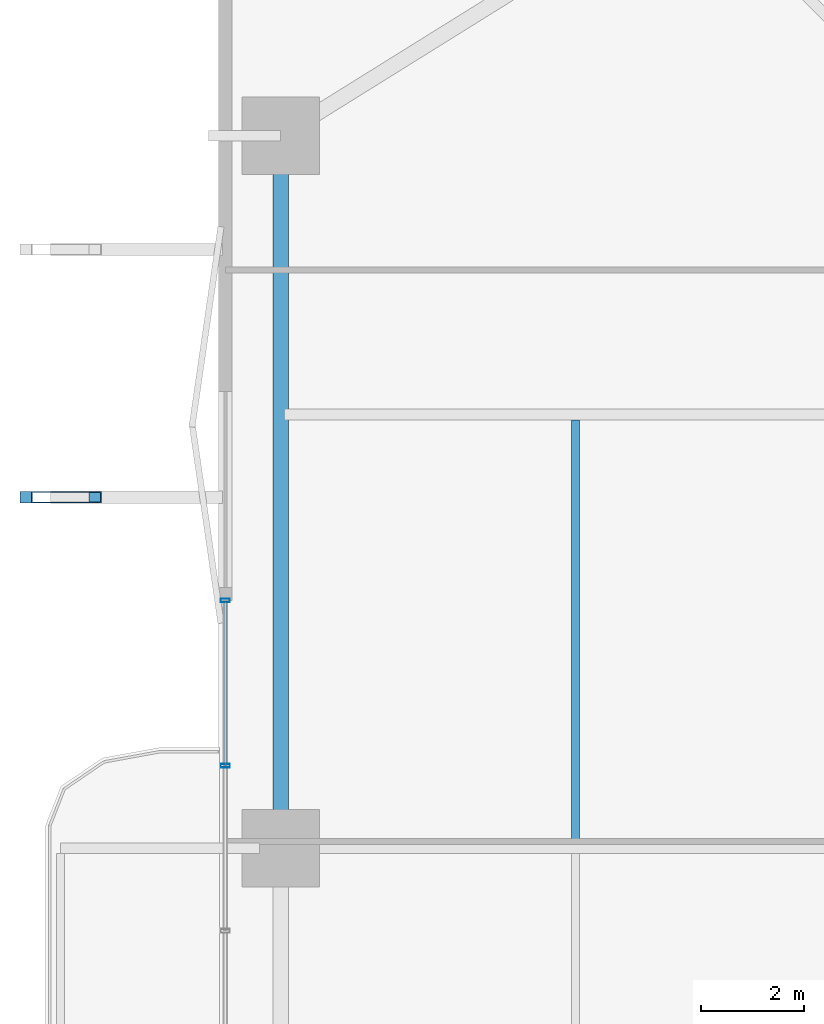
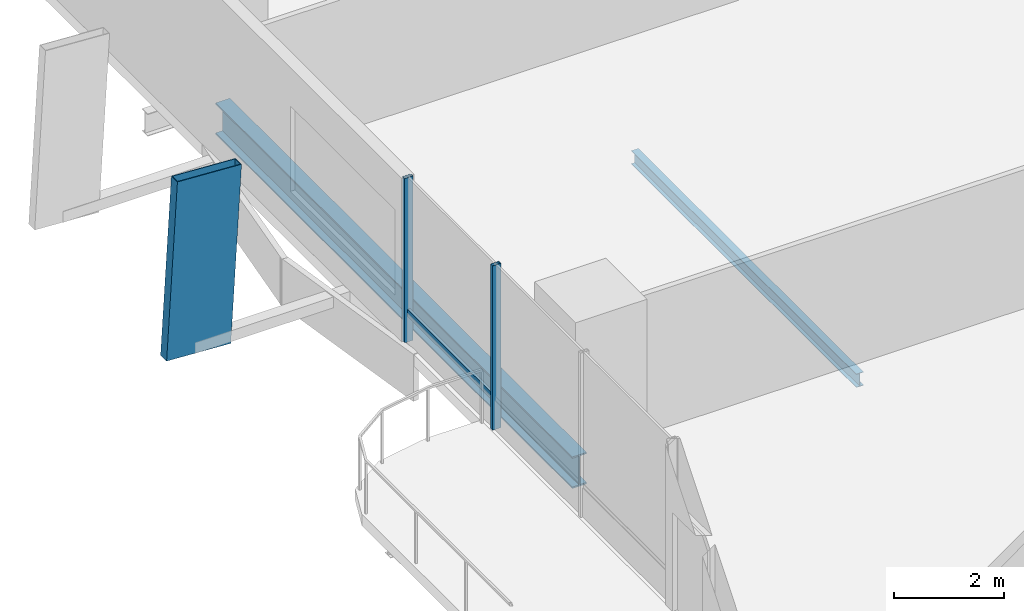
# One storey, part 9 of 24: 4 members, 2 beams, 1 element without a shape of its own.
"""IFC4 building model written with IfcOpenShell, lengths in metres."""

from ifc_helpers import new_model, si_unit, direction, frame, origin, origin_2d, place, context, subcontext, project, spatial, hollow_rectangle, i_section, extrude, material, layer, layer_set, material_profile, profile_set, type_object, element, aggregate, save


model = new_model("IFC4")

# Units and contexts
model_context = context("Model", 3, precision=1e-05, world=origin(), true_north=direction((0.0, 1.0)))
body_context = subcontext(model_context, "Body", "Model", "MODEL_VIEW")
ifc_project = project(units=[si_unit("LENGTHUNIT", "METRE"), si_unit("AREAUNIT", "SQUARE_METRE"), si_unit("VOLUMEUNIT", "CUBIC_METRE"), si_unit("PLANEANGLEUNIT", "RADIAN"), si_unit("MASSUNIT", "GRAM", prefix="KILO")], contexts=[model_context])

# Site, building, storey
site_placement = place(None, origin())
site = spatial("IfcSite", under=ifc_project, at=site_placement, CompositionType="ELEMENT")
building_placement = place(site_placement, origin())
building = spatial("IfcBuilding", under=site, at=building_placement, Name="Belovzor Exchange Tower", CompositionType="ELEMENT")
storey_placement = place(building_placement, frame((0.0, 0.0, 37.800048828125)))
storey = spatial("IfcBuildingStorey", under=building, at=storey_placement, Name="L08", CompositionType="ELEMENT", Elevation=37.800048828125)

# Member
ifc_material_1 = material(Name="Extruded Architectural Terracotta on Steel S355 Carrier", Category="masonry")
ifc_material_profile_1 = material_profile(ifc_material_1, hollow_rectangle(XDim=0.219970703125, YDim=1.35009765625, WallThickness=0.013916015625, at=origin_2d()))
ifc_profile_set_1 = profile_set([ifc_material_profile_1], Name="Extruded Architectural Terracotta on Steel S355 Carrier")
member_type_1 = type_object("IfcMemberType", Name="Base Arc Sweeping Terracotta Pylon Fin 1450", PredefinedType="USERDEFINED", material=ifc_profile_set_1)
member_1_placement = place(storey_placement, frame((-2.27294921875, 35.60009765625, -0.25), z_axis=(0.058121188646, 0.0, 0.998309534879), x_axis=(0.0, 1.0, 0.0)))
element("IfcMember", 1, at=member_1_placement, inside=storey, type_object=member_type_1, Name="FIN-TC145 Terracotta Facade Fin L08 W3", ObjectType="FIN", PredefinedType="USERDEFINED", context=body_context, shape_type="SweptSolid", body=[
    extrude(hollow_rectangle(XDim=0.219970703125, YDim=1.35009765625, WallThickness=0.013916015625, at=origin_2d()), origin(), (0.0, 0.0, 1.0), 3.906494140625),
])

# Beam
ifc_material_2 = material(Name="Steel S355", Category="steel")
ifc_material_profile_2 = material_profile(ifc_material_2, i_section(OverallWidth=0.14990234375, OverallDepth=0.300048828125, WebThickness=0.007080078125, FlangeThickness=0.0107421875, at=origin_2d()))
ifc_profile_set_2 = profile_set([ifc_material_profile_2], Name="Steel S355")
beam_type_1 = type_object("IfcBeamType", Name="Secondary Trim Floor Joist IPE 300", PredefinedType="BEAM", material=ifc_profile_set_2)
beam_1_placement = place(storey_placement, frame((7.81494140625, 28.905029296875, -0.400146484375), z_axis=(0.0, 1.0, 0.0), x_axis=(-1.0, 0.0, 0.0)))
element("IfcBeam", 2, at=beam_1_placement, inside=storey, type_object=beam_type_1, Name="FJ-300 Secondary Trim Floor Joist IPE 300", PredefinedType="BEAM", context=body_context, shape_type="SweptSolid", body=[
    extrude(i_section(OverallWidth=0.14990234375, OverallDepth=0.300048828125, WebThickness=0.007080078125, FlangeThickness=0.0107421875, at=origin_2d()), origin(), (0.0, 0.0, 1.0), 8.18994140625),
])

# Curtain wall, members
ifc_material_3 = material(Name="Anodised Aluminium Framing", Category="aluminium")
ifc_layer = layer(ifc_material_3, 0.179931640625)
ifc_layer_set = layer_set([ifc_layer], Name="Anodised Aluminium Framing")
curtain_wall_type = type_object("IfcCurtainWallType", Name="Recessed Loggia Low-Iron Triple-Glazed Curtain Wall", PredefinedType="NOTDEFINED", material=ifc_layer_set)
curtain_wall_placement = place(storey_placement, origin())
curtain_wall = element("IfcCurtainWall", 3, at=curtain_wall_placement, inside=storey, type_object=curtain_wall_type, Name="CW3 Recessed Loggia Low-Iron Triple-Glazed Curtain Wall L08", PredefinedType="NOTDEFINED")
ifc_material_4 = material(Name="Steel S355", Category="steel")
ifc_material_profile_3 = material_profile(ifc_material_4, hollow_rectangle(XDim=0.074951171875, YDim=0.179931640625, WallThickness=0.0048828125, at=origin_2d()))
ifc_profile_set_3 = profile_set([ifc_material_profile_3], Name="Steel S355")
member_type_2 = type_object("IfcMemberType", Name="Thermally Broken Curtain Wall Mullion 180x75", PredefinedType="MULLION", material=ifc_profile_set_3)
member_2_placement = place(storey_placement, frame((1.030029296875, 30.39990234375, 0.0), z_axis=(0.0, 0.0, 1.0), x_axis=(0.0, 1.0, 0.0)))
member_2 = element("IfcMember", 4, at=member_2_placement, type_object=member_type_2, Name="CW-M180 Curtain Wall Mullion 3", PredefinedType="MULLION", context=body_context, shape_type="SweptSolid", body=[
    extrude(hollow_rectangle(XDim=0.074951171875, YDim=0.179931640625, WallThickness=0.0048828125, at=origin_2d()), origin(), (0.0, 0.0, 1.0), 3.64990234375),
])
member_3_placement = place(storey_placement, frame((1.030029296875, 33.60009765625, 0.0), z_axis=(0.0, 0.0, 1.0), x_axis=(0.0, 1.0, 0.0)))
member_3 = element("IfcMember", 5, at=member_3_placement, type_object=member_type_2, Name="CW-M180 Curtain Wall Mullion 4", PredefinedType="MULLION", context=body_context, shape_type="SweptSolid", body=[
    extrude(hollow_rectangle(XDim=0.074951171875, YDim=0.179931640625, WallThickness=0.0048828125, at=origin_2d()), origin(), (0.0, 0.0, 1.0), 3.64990234375),
])
ifc_material_5 = material(Name="Steel S355", Category="steel")
ifc_material_profile_4 = material_profile(ifc_material_5, hollow_rectangle(XDim=0.06005859375, YDim=0.14990234375, WallThickness=0.00390625, at=origin_2d()))
ifc_profile_set_4 = profile_set([ifc_material_profile_4], Name="Steel S355")
member_type_3 = type_object("IfcMemberType", Name="Thermally Broken Curtain Wall Transom 150x60", PredefinedType="USERDEFINED", material=ifc_profile_set_4)
member_4_placement = place(storey_placement, frame((1.030029296875, 30.407958984375, 0.64990234375), z_axis=(0.0, 1.0, 0.0), x_axis=(-1.0, 0.0, 0.0)))
member_4 = element("IfcMember", 6, at=member_4_placement, type_object=member_type_3, Name="CW-T150 Curtain Wall Transom 3", ObjectType="TRANSOM", PredefinedType="USERDEFINED", context=body_context, shape_type="SweptSolid", body=[
    extrude(hollow_rectangle(XDim=0.06005859375, YDim=0.14990234375, WallThickness=0.00390625, at=origin_2d()), origin(), (0.0, 0.0, 1.0), 3.18408203125),
])
aggregate(curtain_wall, [member_2, member_3, member_4])

# Beam
ifc_material_6 = material(Name="Steel S355", Category="steel")
ifc_material_profile_5 = material_profile(ifc_material_6, i_section(OverallWidth=0.300048828125, OverallDepth=0.699951171875, WebThickness=0.01708984375, FlangeThickness=0.031982421875, at=origin_2d()))
ifc_profile_set_5 = profile_set([ifc_material_profile_5], Name="Steel S355")
beam_type_2 = type_object("IfcBeamType", Name="Zone 1 Primary Perimeter Girder HEB 700", PredefinedType="BEAM", material=ifc_profile_set_5)
beam_2_placement = place(storey_placement, frame((2.10009765625, 42.18798828125, -0.60009765625), z_axis=(0.0, -1.0, 0.0), x_axis=(1.0, 0.0, 0.0)))
element("IfcBeam", 7, at=beam_2_placement, inside=storey, type_object=beam_type_2, Name="FG-Z1 Zone 1 Primary Perimeter Girder HEB 700", PredefinedType="BEAM", context=body_context, shape_type="SweptSolid", body=[
    extrude(i_section(OverallWidth=0.300048828125, OverallDepth=0.699951171875, WebThickness=0.01708984375, FlangeThickness=0.031982421875, at=origin_2d()), origin(), (0.0, 0.0, 1.0), 12.97509765625),
])

save(model, "model.ifc")
